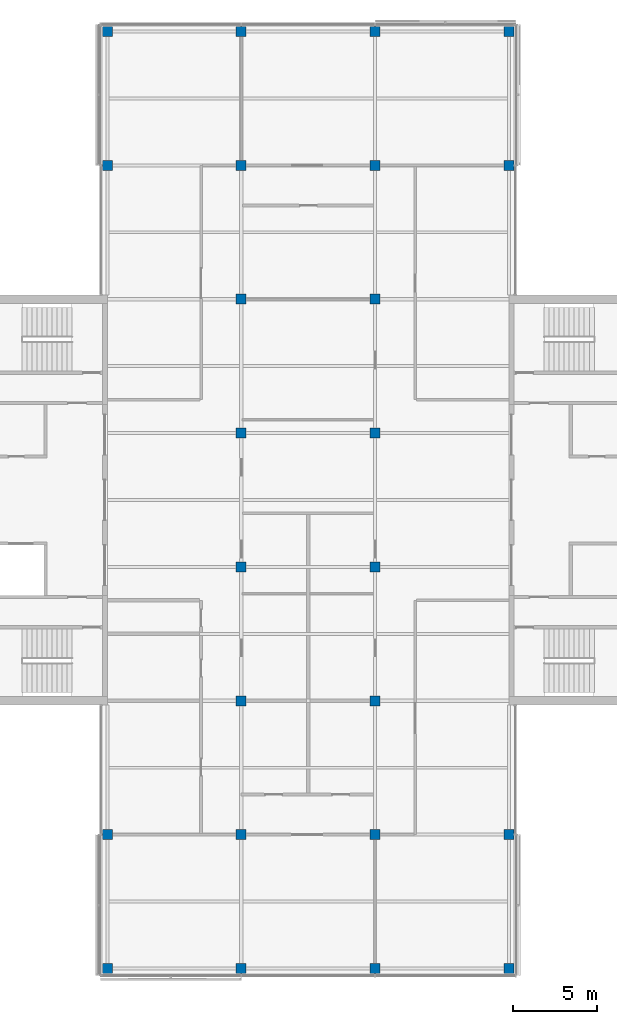
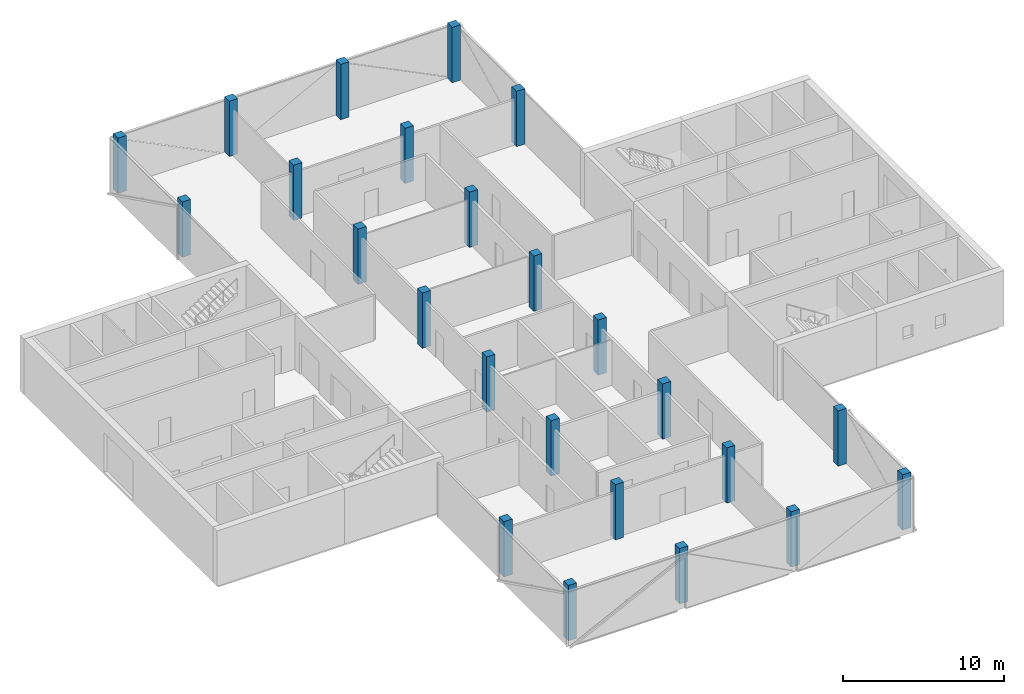
# One storey, part 1 of 15: 24 columns.
"""IFC4 building model written with IfcOpenShell, lengths in metres."""

from ifc_helpers import new_model, si_unit, direction, frame, origin, origin_2d, place, context, subcontext, project, spatial, rectangle, extrude, material, material_profile, profile_set, type_object, element, save


model = new_model("IFC4")

# Units and contexts
model_context = context("Model", 3, precision=1e-05, world=origin(), true_north=direction((0.0, 1.0)))
body_context = subcontext(model_context, "Body", "Model", "MODEL_VIEW")
ifc_project = project(units=[si_unit("LENGTHUNIT", "METRE"), si_unit("AREAUNIT", "SQUARE_METRE"), si_unit("VOLUMEUNIT", "CUBIC_METRE"), si_unit("PLANEANGLEUNIT", "RADIAN"), si_unit("MASSUNIT", "GRAM", prefix="KILO")], contexts=[model_context])

# Site, building, storey
site_placement = place(None, origin())
site = spatial("IfcSite", under=ifc_project, at=site_placement, CompositionType="ELEMENT")
building_placement = place(site_placement, origin())
building = spatial("IfcBuilding", under=site, at=building_placement, Name="Crosswind Convention Tower", CompositionType="ELEMENT")
storey_placement = place(building_placement, frame((0.0, 0.0, 315.5)))
storey = spatial("IfcBuildingStorey", under=building, at=storey_placement, Name="L68", CompositionType="ELEMENT", Elevation=315.5)

# Columns
ifc_material = material(Name="Concrete C60/75", Category="concrete")
ifc_material_profile = material_profile(ifc_material, rectangle(XDim=0.60009765625, YDim=0.60009765625, at=origin_2d()), Name="RC 600X600")
ifc_profile_set = profile_set([ifc_material_profile], Name="Concrete C60/75")
column_type = type_object("IfcColumnType", Name="Column RC 600X600", PredefinedType="COLUMN", material=ifc_profile_set)
for number, where, z_axis, x_axis, name in (
    (1, (113.0, 72.0, 0.0), (0.0, 0.0, 1.0), (1.0, 0.0, 0.0), "C16 L68 5/C"),
    (2, (113.0, 80.0, 0.0), (0.0, 0.0, 1.0), (1.0, 0.0, 0.0), "C16 L68 5/D"),
    (3, (113.0, 120.0, 0.0), (0.0, 0.0, 1.0), (1.0, 0.0, 0.0), "C16 L68 5/I"),
    (4, (113.0, 128.0, 0.0), (0.0, 0.0, 1.0), (1.0, 0.0, 0.0), "C16 L68 5/J"),
    (5, (121.0, 72.0, 0.0), (0.0, 0.0, 1.0), (1.0, 0.0, 0.0), "C16 L68 6/C"),
    (6, (121.0, 80.0, 0.0), (0.0, 0.0, 1.0), (1.0, 0.0, 0.0), "C16 L68 6/D"),
    (7, (121.0, 88.0, 0.0), (0.0, 0.0, 1.0), (1.0, 0.0, 0.0), "C16 L68 6/E"),
    (8, (121.0, 96.0, 0.0), (0.0, 0.0, 1.0), (1.0, 0.0, 0.0), "C16 L68 6/F"),
    (9, (121.0, 104.0, 0.0), (0.0, 0.0, 1.0), (1.0, 0.0, 0.0), "C16 L68 6/G"),
    (10, (121.0, 112.0, 0.0), (0.0, 0.0, 1.0), (1.0, 0.0, 0.0), "C16 L68 6/H"),
    (11, (121.0, 120.0, 0.0), (0.0, 0.0, 1.0), (1.0, 0.0, 0.0), "C16 L68 6/I"),
    (12, (121.0, 128.0, 0.0), (0.0, 0.0, 1.0), (1.0, 0.0, 0.0), "C16 L68 6/J"),
    (13, (129.0, 72.0, 0.0), (0.0, 0.0, 1.0), (1.0, 0.0, 0.0), "C16 L68 7/C"),
    (14, (129.0, 80.0, 0.0), (0.0, 0.0, 1.0), (1.0, 0.0, 0.0), "C16 L68 7/D"),
    (15, (129.0, 88.0, 0.0), (0.0, 0.0, 1.0), (1.0, 0.0, 0.0), "C16 L68 7/E"),
    (16, (129.0, 96.0, 0.0), (0.0, 0.0, 1.0), (1.0, 0.0, 0.0), "C16 L68 7/F"),
    (17, (129.0, 104.0, 0.0), (0.0, 0.0, 1.0), (1.0, 0.0, 0.0), "C16 L68 7/G"),
    (18, (129.0, 112.0, 0.0), (0.0, 0.0, 1.0), (1.0, 0.0, 0.0), "C16 L68 7/H"),
    (19, (129.0, 120.0, 0.0), (0.0, 0.0, 1.0), (1.0, 0.0, 0.0), "C16 L68 7/I"),
    (20, (129.0, 128.0, 0.0), (0.0, 0.0, 1.0), (1.0, 0.0, 0.0), "C16 L68 7/J"),
    (21, (137.0, 72.0, 0.0), (0.0, 0.0, 1.0), (1.0, 0.0, 0.0), "C16 L68 8/C"),
    (22, (137.0, 80.0, 0.0), (0.0, 0.0, 1.0), (1.0, 0.0, 0.0), "C16 L68 8/D"),
    (23, (137.0, 120.0, 0.0), (0.0, 0.0, 1.0), (1.0, 0.0, 0.0), "C16 L68 8/I"),
    (24, (137.0, 128.0, 0.0), (0.0, 0.0, 1.0), (1.0, 0.0, 0.0), "C16 L68 8/J"),
):
    element("IfcColumn", number, at=place(storey_placement, frame(where, z_axis=z_axis, x_axis=x_axis)), inside=storey, type_object=column_type, Name=name, PredefinedType="COLUMN", context=body_context, shape_type="SweptSolid", body=[
        extrude(rectangle(XDim=0.60009765625, YDim=0.60009765625, at=origin_2d()), origin(), (0.0, 0.0, 1.0), 4.199951171875),
    ])

save(model, "model.ifc")
